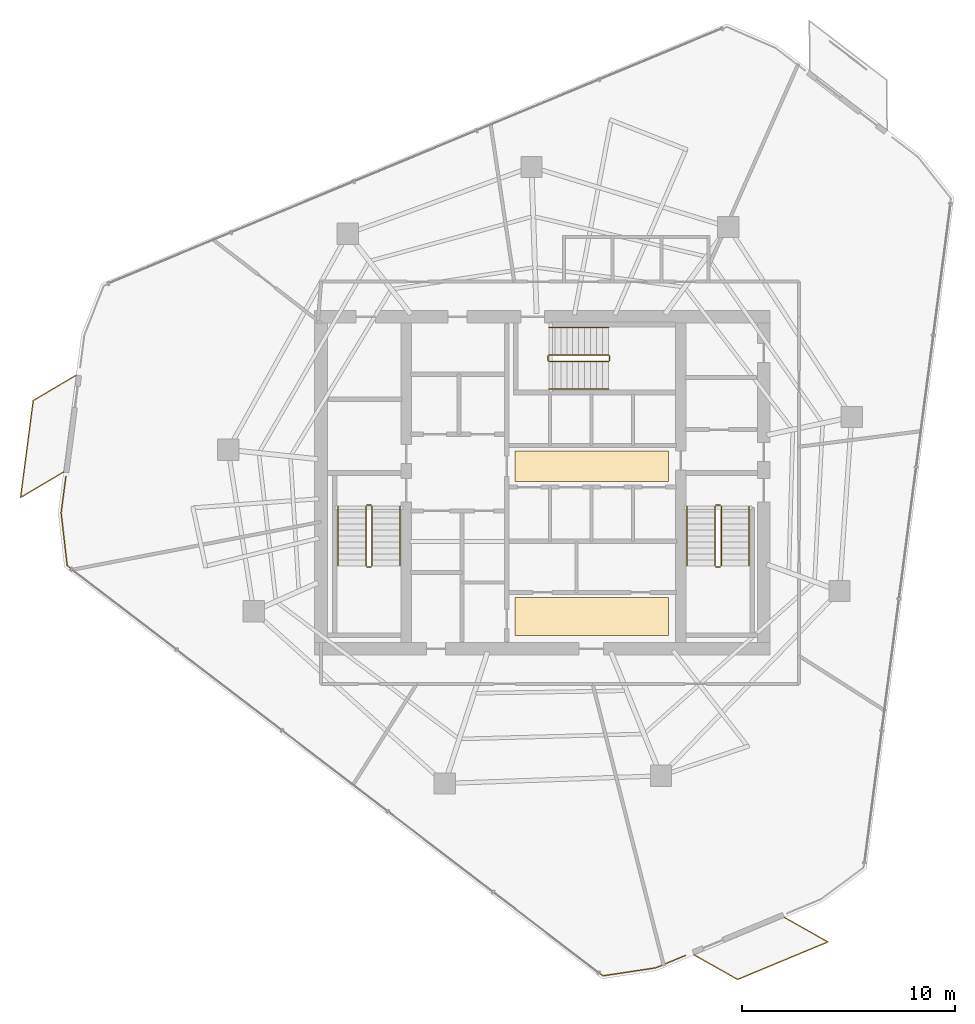
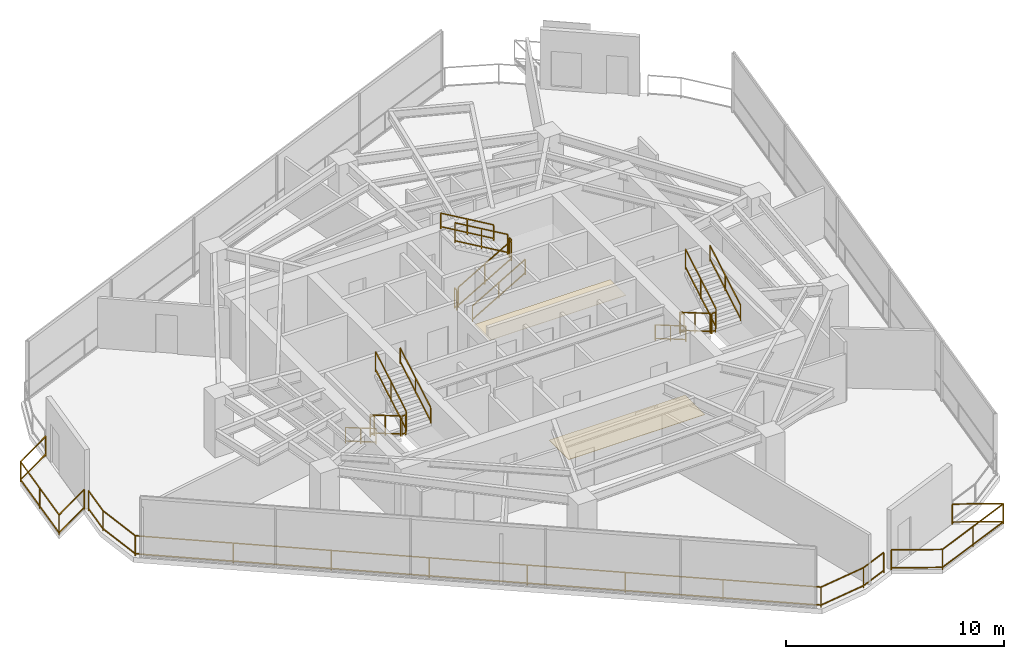
# One storey, part 19 of 20: 21 railings, 2 coverings.
"""IFC4 building model written with IfcOpenShell, lengths in metres."""

import ifcopenshell
import ifcopenshell.guid

model = None  # the IFC model being written
_history = None  # IfcOwnerHistory: only IFC2X3 demands one
_inside = {}  # id of a spatial element -> (the spatial element, [elements in it])
_under = {}  # id of a project, library or spatial element -> (it, [spatial elements below it])
_declared = {}  # id of a project -> (the project, [libraries it declares])
_typed = {}  # id of a type object -> (the type object, [elements of that type])
_made_of = {}  # id of a material, layer set ... -> (it, [elements and type objects made of it])


def new_model(schema):
    """Start an empty IFC model of exactly this schema.

    Asked for "IFC4X3", IfcOpenShell would pick the latest addendum, in which some entities
    have other attributes; the version numbers below select the first issue.
    IFC2X3 requires an IfcOwnerHistory on every rooted entity: one is made here for all.
    """
    global model, _history
    if schema == "IFC4X3":
        model = ifcopenshell.file(schema_version=(4, 3, 0, 0))
    else:
        model = ifcopenshell.file(schema=schema)
    _inside.clear()
    _under.clear()
    _declared.clear()
    _typed.clear()
    _made_of.clear()
    _history = None
    if model.schema == "IFC2X3":
        org = make("IfcOrganization", Name="unknown")
        user = make(
            "IfcPersonAndOrganization",
            ThePerson=make("IfcPerson", FamilyName="unknown"),
            TheOrganization=org,
        )
        app = make(
            "IfcApplication",
            ApplicationDeveloper=org,
            Version="unknown",
            ApplicationFullName="unknown",
            ApplicationIdentifier="unknown",
        )
        _history = make(
            "IfcOwnerHistory",
            OwningUser=user,
            OwningApplication=app,
            ChangeAction="ADDED",
            CreationDate=0,
        )
    return model


def make(cls, **values):
    """One entity of the class cls with the attributes given. An attribute that is None is left unset."""
    return model.create_entity(
        cls, **{name: value for name, value in values.items() if value is not None}
    )


def rooted(cls, **values):
    """An entity with a GlobalId (a new one), such as an element, a storey or a relation."""
    return make(cls, GlobalId=ifcopenshell.guid.new(), OwnerHistory=_history, **values)


def si_unit(unit_type, name, prefix=None):
    """IfcSIUnit, for example si_unit("LENGTHUNIT", "METRE", prefix="MILLI")."""
    return make("IfcSIUnit", UnitType=unit_type, Prefix=prefix, Name=name)


def assignment(units):
    """IfcUnitAssignment: the units of a project."""
    return None if units is None else make("IfcUnitAssignment", Units=units)


def point(xyz):
    """IfcCartesianPoint."""
    return None if xyz is None else make("IfcCartesianPoint", Coordinates=xyz)


def direction(xyz):
    """IfcDirection."""
    return None if xyz is None else make("IfcDirection", DirectionRatios=xyz)


def frame(location, z_axis=None, x_axis=None):
    """IfcAxis2Placement3D, a coordinate frame: its origin and axes. An axis left out is left unset."""
    return make(
        "IfcAxis2Placement3D",
        Location=point(location),
        Axis=direction(z_axis),
        RefDirection=direction(x_axis),
    )


def frame_2d(location, x_axis=None):
    """IfcAxis2Placement2D, a coordinate frame in the plane: its origin and x axis."""
    return make(
        "IfcAxis2Placement2D", Location=point(location), RefDirection=direction(x_axis)
    )


def origin():
    """The frame at (0, 0, 0) with its axes left unset."""
    return frame((0.0, 0.0, 0.0))


def origin_2d():
    """The frame at (0, 0) in the plane with its x axis left unset."""
    return frame_2d((0.0, 0.0))


def place(relative_to, where):
    """IfcLocalPlacement: puts the frame where relative to a parent placement (None: the world)."""
    return make(
        "IfcLocalPlacement", PlacementRelTo=relative_to, RelativePlacement=where
    )


def context(
    kind, dimensions, precision=None, world=None, true_north=None, identifier=None
):
    """IfcGeometricRepresentationContext, for example the 3D "Model" context."""
    return make(
        "IfcGeometricRepresentationContext",
        ContextIdentifier=identifier,
        ContextType=kind,
        CoordinateSpaceDimension=dimensions,
        Precision=precision,
        WorldCoordinateSystem=world,
        TrueNorth=true_north,
    )


def subcontext(parent, identifier, kind, view, scale=None):
    """IfcGeometricRepresentationSubContext, for example "Body" below "Model"."""
    return make(
        "IfcGeometricRepresentationSubContext",
        ContextIdentifier=identifier,
        ContextType=kind,
        ParentContext=parent,
        TargetScale=scale,
        TargetView=view,
    )


def project(units=None, contexts=None):
    """IfcProject with its units and contexts."""
    return rooted(
        "IfcProject",
        Name="project",
        RepresentationContexts=contexts,
        UnitsInContext=assignment(units),
    )


def spatial(cls, under=None, at=None, **own):
    """A site, building, storey or space (cls), placed at a placement, below another one or the project."""
    s = rooted(cls, ObjectPlacement=at, **own)
    if under is not None:
        _under.setdefault(under.id(), (under, []))[1].append(s)
    return s


def profile(cls, at=None, kind="AREA", **sizes):
    """A parametric profile (cls). Its sizes go by their IFC names, for example OverallWidth=200.0."""
    return make(cls, ProfileType=kind, Position=at, **sizes)


def rectangle(**sizes):
    """IfcRectangleProfileDef."""
    return profile("IfcRectangleProfileDef", **sizes)


def extrude(swept, where, along, depth):
    """IfcExtrudedAreaSolid: the profile swept, set in the frame where, extruded along a direction by depth."""
    return make(
        "IfcExtrudedAreaSolid",
        SweptArea=swept,
        Position=where,
        ExtrudedDirection=direction(along),
        Depth=depth,
    )


def shape(context_of_items, identifier, shape_type, items):
    """IfcShapeRepresentation: the items that make up one representation, for example the "Body"."""
    return make(
        "IfcShapeRepresentation",
        ContextOfItems=context_of_items,
        RepresentationIdentifier=identifier,
        RepresentationType=shape_type,
        Items=items,
    )


def material(Name=None, Category=None):
    """IfcMaterial."""
    return make("IfcMaterial", Name=Name, Category=Category)


def layer(
    of_material, thickness, ventilated=None, Name=None, Category=None, Priority=None
):
    """IfcMaterialLayer: one layer of a wall or slab, of a material (None: an air gap)."""
    return make(
        "IfcMaterialLayer",
        Material=of_material,
        LayerThickness=thickness,
        IsVentilated=ventilated,
        Name=Name,
        Category=Category,
        Priority=Priority,
    )


def layer_set(layers, Name=None):
    """IfcMaterialLayerSet."""
    return make("IfcMaterialLayerSet", MaterialLayers=layers, LayerSetName=Name)


def made_of(thing, what):
    """Note that an element or type object is made of a material, layer set ...; save() writes the relation."""
    if what is not None:
        _made_of.setdefault(what.id(), (what, []))[1].append(thing)
    return thing


def type_object(cls, material=None, **own):
    """A type object (cls), such as IfcWallType, which elements share."""
    return made_of(rooted(cls, **own), material)


def element(
    cls,
    number,
    at=None,
    inside=None,
    cuts=None,
    type_object=None,
    material=None,
    context=None,
    identifier="Body",
    shape_type=None,
    held_by="IfcProductDefinitionShape",
    body=None,
    shapes=None,
    **own,
):
    """One element of the class cls, such as IfcWall. Its Tag is "e" and its number.

    at: its placement. inside: the storey or other place that contains it. cuts: it is an
    opening in that element (IfcRelVoidsElement). A single representation is given by context,
    identifier, shape_type and body (its items); several are given by shapes. held_by: the class
    of the entity that holds the representations. save() writes the other relations.
    """
    e = rooted(cls, Tag="e%d" % number, ObjectPlacement=at, **own)
    if body is not None:
        shapes = [shape(context, identifier, shape_type, body)]
    if shapes is not None:
        e.Representation = make(held_by, Representations=shapes)
    if inside is not None:
        _inside.setdefault(inside.id(), (inside, []))[1].append(e)
    if cuts is not None:
        rooted(
            "IfcRelVoidsElement", RelatingBuildingElement=cuts, RelatedOpeningElement=e
        )
    if type_object is not None:
        _typed.setdefault(type_object.id(), (type_object, []))[1].append(e)
    return made_of(e, material)


def aggregate(whole, parts):
    """IfcRelAggregates: a whole, such as a stair, and the parts it consists of."""
    return rooted("IfcRelAggregates", RelatingObject=whole, RelatedObjects=parts)


def save(model, path):
    """Write the relations noted so far, then the file.

    IfcRelAggregates (storeys below a building ...), IfcRelContainedInSpatialStructure (elements
    in a storey), IfcRelDefinesByType, IfcRelAssociatesMaterial and IfcRelDeclares: one each for
    every whole, place, type object, material and project.
    """
    for whole, parts in _under.values():
        aggregate(whole, parts)
    for where, things in _inside.values():
        rooted(
            "IfcRelContainedInSpatialStructure",
            RelatedElements=things,
            RelatingStructure=where,
        )
    for kind, things in _typed.values():
        rooted("IfcRelDefinesByType", RelatedObjects=things, RelatingType=kind)
    for what, things in _made_of.values():
        rooted("IfcRelAssociatesMaterial", RelatedObjects=things, RelatingMaterial=what)
    for by, libraries in _declared.values():
        rooted("IfcRelDeclares", RelatingContext=by, RelatedDefinitions=libraries)
    model.write(path)


model = new_model("IFC4")

# Units and contexts
model_context = context("Model", 3, precision=1e-05, world=origin(), true_north=direction((0.0, 1.0)))
body_context = subcontext(model_context, "Body", "Model", "MODEL_VIEW")
ifc_project = project(units=[si_unit("LENGTHUNIT", "METRE"), si_unit("AREAUNIT", "SQUARE_METRE"), si_unit("VOLUMEUNIT", "CUBIC_METRE"), si_unit("PLANEANGLEUNIT", "RADIAN"), si_unit("MASSUNIT", "GRAM", prefix="KILO")], contexts=[model_context])

# Site, building, storey
site_placement = place(None, origin())
site = spatial("IfcSite", under=ifc_project, at=site_placement, CompositionType="ELEMENT")
building_placement = place(site_placement, origin())
building = spatial("IfcBuilding", under=site, at=building_placement, Name="Qarnah Convention Tower", CompositionType="ELEMENT")
storey_placement = place(building_placement, frame((0.0, 0.0, 150.89990234375)))
storey = spatial("IfcBuildingStorey", under=building, at=storey_placement, Name="L40", CompositionType="ELEMENT", Elevation=150.89990234375)

# Coverings
ifc_material_1 = material(Name="Mineral fibre acoustic ceiling")
ifc_layer_1 = layer(ifc_material_1, 0.02001953125)
ifc_layer_set_1 = layer_set([ifc_layer_1], Name="Mineral fibre acoustic ceiling")
covering_type_1 = type_object("IfcCoveringType", Name="COV-CEIL-20", PredefinedType="CEILING", material=ifc_layer_set_1)
covering_1_placement = place(storey_placement, frame((39.52001953125, 27.179931640625, 2.2900390625), z_axis=(0.0, 0.0, 1.0), x_axis=(1.0, 0.0, 0.0)))
element("IfcCovering", 1, at=covering_1_placement, inside=storey, type_object=covering_type_1, Name="L40 lift lobby acoustic ceiling", PredefinedType="CEILING", context=body_context, shape_type="SweptSolid", body=[
    extrude(rectangle(XDim=7.199951171875, YDim=1.449951171875, at=origin_2d()), origin(), (0.0, 0.0, 1.0), 0.02001953125),
])
ifc_material_2 = material(Name="Porcelain stone floor tile", Category="masonry")
ifc_layer_2 = layer(ifc_material_2, 0.02001953125)
ifc_layer_set_2 = layer_set([ifc_layer_2], Name="Porcelain stone floor tile")
covering_type_2 = type_object("IfcCoveringType", Name="COV-FLOOR-20", PredefinedType="FLOORING", material=ifc_layer_set_2)
covering_2_placement = place(storey_placement, frame((39.52001953125, 20.1201171875, 0.0), z_axis=(0.0, 0.0, 1.0), x_axis=(1.0, 0.0, 0.0)))
element("IfcCovering", 2, at=covering_2_placement, inside=storey, type_object=covering_type_2, Name="L40 lift lobby porcelain stone flooring", PredefinedType="FLOORING", context=body_context, shape_type="SweptSolid", body=[
    extrude(rectangle(XDim=7.199951171875, YDim=1.800048828125, at=origin_2d()), origin(), (0.0, 0.0, 1.0), 0.02001953125),
])

# Railings
ifc_material_3 = material(Name="Black anodised aluminium", Category="aluminium")
railing_type_1 = type_object("IfcRailingType", Name="RL-EXT-GUARD-1150", PredefinedType="GUARDRAIL", material=ifc_material_3)
railing_1_placement = place(storey_placement, frame((43.916015625, 4.194091796875, 0.0)))
element("IfcRailing", 3, at=railing_1_placement, inside=storey, type_object=railing_type_1, Name="L40 slab-edge perimeter safety guard 03", PredefinedType="GUARDRAIL", context=body_context, shape_type="SweptSolid", body=[
    extrude(rectangle(XDim=0.048095703125, YDim=0.048095703125, at=origin_2d()), frame((0.0, 0.0, 1.1259765625), z_axis=(-0.923507181833, -0.383581132361, 0.0), x_axis=(0.383581132361, -0.923507181833, 0.0)), (0.0, 0.0, 1.0), 1.525634765625),
    extrude(rectangle(XDim=0.048095703125, YDim=0.048095703125, at=origin_2d()), frame((0.0, 0.0, 0.1201171875), z_axis=(-0.923507181833, -0.383581132361, 0.0), x_axis=(0.383581132361, -0.923507181833, 0.0)), (0.0, 0.0, 1.0), 1.525634765625),
    extrude(rectangle(XDim=0.048095703125, YDim=0.048095703125, at=origin_2d()), frame((-1.408935546875, -0.585205078125, 1.1259765625), z_axis=(-0.988846271021, -0.148939760603, 0.0), x_axis=(0.148939760603, -0.988846271021, 0.0)), (0.0, 0.0, 1.0), 2.489990234375),
    extrude(rectangle(XDim=0.048095703125, YDim=0.048095703125, at=origin_2d()), frame((-1.408935546875, -0.585205078125, 0.1201171875), z_axis=(-0.988846271021, -0.148939760603, 0.0), x_axis=(0.148939760603, -0.988846271021, 0.0)), (0.0, 0.0, 1.0), 2.489990234375),
    extrude(rectangle(XDim=0.048095703125, YDim=0.048095703125, at=origin_2d()), frame((-3.87109375, -0.9560546875, 1.1259765625), z_axis=(-0.793983951179, 0.60793871835, 0.0), x_axis=(-0.60793871835, -0.793983951179, 0.0)), (0.0, 0.0, 1.0), 31.70703125),
    extrude(rectangle(XDim=0.048095703125, YDim=0.048095703125, at=origin_2d()), frame((-3.87109375, -0.9560546875, 0.1201171875), z_axis=(-0.793983951179, 0.60793871835, 0.0), x_axis=(-0.60793871835, -0.793983951179, 0.0)), (0.0, 0.0, 1.0), 31.70703125),
    extrude(rectangle(XDim=0.048095703125, YDim=0.048095703125, at=origin_2d()), frame((-29.0458984375, 18.31982421875, 1.1259765625), z_axis=(-0.114110599269, 0.993468052398, 0.0), x_axis=(-0.993468052398, -0.114110599269, 0.0)), (0.0, 0.0, 1.0), 2.490478515625),
    extrude(rectangle(XDim=0.048095703125, YDim=0.048095703125, at=origin_2d()), frame((-29.0458984375, 18.31982421875, 0.1201171875), z_axis=(-0.114110599269, 0.993468052398, 0.0), x_axis=(-0.993468052398, -0.114110599269, 0.0)), (0.0, 0.0, 1.0), 2.490478515625),
    extrude(rectangle(XDim=0.048095703125, YDim=0.048095703125, at=origin_2d()), frame((-29.330078125, 20.7939453125, 1.1259765625), z_axis=(0.129693978118, 0.991554069146, 0.0), x_axis=(-0.991554069146, 0.129693978118, 0.0)), (0.0, 0.0, 1.0), 1.735595703125),
    extrude(rectangle(XDim=0.048095703125, YDim=0.048095703125, at=origin_2d()), frame((-29.330078125, 20.7939453125, 0.1201171875), z_axis=(0.129693978118, 0.991554069146, 0.0), x_axis=(-0.991554069146, 0.129693978118, 0.0)), (0.0, 0.0, 1.0), 1.735595703125),
    extrude(rectangle(XDim=0.0419921875, YDim=0.0419921875, at=origin_2d()), origin(), (0.0, 0.0, 1.0), 1.101806640625),
    extrude(rectangle(XDim=0.0419921875, YDim=0.0419921875, at=origin_2d()), frame((-1.408935546875, -0.585205078125, 0.0)), (0.0, 0.0, 1.0), 1.101806640625),
    extrude(rectangle(XDim=0.0419921875, YDim=0.0419921875, at=origin_2d()), frame((-3.87109375, -0.9560546875, 0.0)), (0.0, 0.0, 1.0), 1.101806640625),
    extrude(rectangle(XDim=0.0419921875, YDim=0.0419921875, at=origin_2d()), frame((-7.467529296875, 1.797607421875, 0.0)), (0.0, 0.0, 1.0), 1.101806640625),
    extrude(rectangle(XDim=0.0419921875, YDim=0.0419921875, at=origin_2d()), frame((-11.06396484375, 4.55126953125, 0.0)), (0.0, 0.0, 1.0), 1.101806640625),
    extrude(rectangle(XDim=0.0419921875, YDim=0.0419921875, at=origin_2d()), frame((-14.660400390625, 7.304931640625, 0.0)), (0.0, 0.0, 1.0), 1.101806640625),
    extrude(rectangle(XDim=0.0419921875, YDim=0.0419921875, at=origin_2d()), frame((-18.256591796875, 10.058837890625, 0.0)), (0.0, 0.0, 1.0), 1.101806640625),
    extrude(rectangle(XDim=0.0419921875, YDim=0.0419921875, at=origin_2d()), frame((-21.85302734375, 12.8125, 0.0)), (0.0, 0.0, 1.0), 1.101806640625),
    extrude(rectangle(XDim=0.0419921875, YDim=0.0419921875, at=origin_2d()), frame((-25.449462890625, 15.566162109375, 0.0)), (0.0, 0.0, 1.0), 1.101806640625),
    extrude(rectangle(XDim=0.0419921875, YDim=0.0419921875, at=origin_2d()), frame((-29.0458984375, 18.31982421875, 0.0)), (0.0, 0.0, 1.0), 1.101806640625),
    extrude(rectangle(XDim=0.0419921875, YDim=0.0419921875, at=origin_2d()), frame((-29.330078125, 20.7939453125, 0.0)), (0.0, 0.0, 1.0), 1.101806640625),
    extrude(rectangle(XDim=0.0419921875, YDim=0.0419921875, at=origin_2d()), frame((-29.10498046875, 22.514892578125, 0.0)), (0.0, 0.0, 1.0), 1.101806640625),
])
railing_2_placement = place(storey_placement, frame((14.698974609375, 26.89892578125, 0.0)))
element("IfcRailing", 4, at=railing_2_placement, inside=storey, type_object=railing_type_1, Name="L40 balcony safety guard BAL-L40-C2", PredefinedType="GUARDRAIL", context=body_context, shape_type="SweptSolid", body=[
    extrude(rectangle(XDim=0.048095703125, YDim=0.048095703125, at=origin_2d()), frame((0.0, 0.0, 1.1259765625), z_axis=(-0.861104487495, -0.508428029927, 0.0), x_axis=(0.508428029927, -0.861104487495, 0.0)), (0.0, 0.0, 1.0), 2.34814453125),
    extrude(rectangle(XDim=0.048095703125, YDim=0.048095703125, at=origin_2d()), frame((0.0, 0.0, 0.1201171875), z_axis=(-0.861104487495, -0.508428029927, 0.0), x_axis=(0.508428029927, -0.861104487495, 0.0)), (0.0, 0.0, 1.0), 2.34814453125),
    extrude(rectangle(XDim=0.048095703125, YDim=0.048095703125, at=origin_2d()), frame((-2.02197265625, -1.19384765625, 1.1259765625), z_axis=(0.129559279867, 0.991571678196, 0.0), x_axis=(-0.991571678196, 0.129559279867, 0.0)), (0.0, 0.0, 1.0), 4.599853515625),
    extrude(rectangle(XDim=0.048095703125, YDim=0.048095703125, at=origin_2d()), frame((-2.02197265625, -1.19384765625, 0.1201171875), z_axis=(0.129559279867, 0.991571678196, 0.0), x_axis=(-0.991571678196, 0.129559279867, 0.0)), (0.0, 0.0, 1.0), 4.599853515625),
    extrude(rectangle(XDim=0.048095703125, YDim=0.048095703125, at=origin_2d()), frame((-1.426025390625, 3.3671875, 1.1259765625), z_axis=(0.861104487495, 0.508428029927, 0.0), x_axis=(-0.508428029927, 0.861104487495, 0.0)), (0.0, 0.0, 1.0), 2.34814453125),
    extrude(rectangle(XDim=0.048095703125, YDim=0.048095703125, at=origin_2d()), frame((-1.426025390625, 3.3671875, 0.1201171875), z_axis=(0.861104487495, 0.508428029927, 0.0), x_axis=(-0.508428029927, 0.861104487495, 0.0)), (0.0, 0.0, 1.0), 2.34814453125),
    extrude(rectangle(XDim=0.0419921875, YDim=0.0419921875, at=origin_2d()), origin(), (0.0, 0.0, 1.0), 1.101806640625),
    extrude(rectangle(XDim=0.0419921875, YDim=0.0419921875, at=origin_2d()), frame((-2.02197265625, -1.19384765625, 0.0)), (0.0, 0.0, 1.0), 1.101806640625),
    extrude(rectangle(XDim=0.0419921875, YDim=0.0419921875, at=origin_2d()), frame((-1.72412109375, 1.086669921875, 0.0)), (0.0, 0.0, 1.0), 1.101806640625),
    extrude(rectangle(XDim=0.0419921875, YDim=0.0419921875, at=origin_2d()), frame((-1.426025390625, 3.3671875, 0.0)), (0.0, 0.0, 1.0), 1.101806640625),
    extrude(rectangle(XDim=0.0419921875, YDim=0.0419921875, at=origin_2d()), frame((0.595947265625, 4.56103515625, 0.0)), (0.0, 0.0, 1.0), 1.101806640625),
])
railing_3_placement = place(storey_placement, frame((48.571044921875, 5.98193359375, 0.0)))
element("IfcRailing", 5, at=railing_3_placement, inside=storey, type_object=railing_type_1, Name="L40 balcony safety guard BAL-L40-C3", PredefinedType="GUARDRAIL", context=body_context, shape_type="SweptSolid", body=[
    extrude(rectangle(XDim=0.048095703125, YDim=0.048095703125, at=origin_2d()), frame((0.0, 0.0, 1.1259765625), z_axis=(0.870785525164, -0.491663064674, 0.0), x_axis=(0.491663064674, 0.870785525164, 0.0)), (0.0, 0.0, 1.0), 2.34716796875),
    extrude(rectangle(XDim=0.048095703125, YDim=0.048095703125, at=origin_2d()), frame((0.0, 0.0, 0.1201171875), z_axis=(0.870785525164, -0.491663064674, 0.0), x_axis=(0.491663064674, 0.870785525164, 0.0)), (0.0, 0.0, 1.0), 2.34716796875),
    extrude(rectangle(XDim=0.048095703125, YDim=0.048095703125, at=origin_2d()), frame((2.0439453125, -1.154052734375, 1.1259765625), z_axis=(-0.923472127584, -0.383665517834, 0.0), x_axis=(0.383665517834, -0.923472127584, 0.0)), (0.0, 0.0, 1.0), 4.60009765625),
    extrude(rectangle(XDim=0.048095703125, YDim=0.048095703125, at=origin_2d()), frame((2.0439453125, -1.154052734375, 0.1201171875), z_axis=(-0.923472127584, -0.383665517834, 0.0), x_axis=(0.383665517834, -0.923472127584, 0.0)), (0.0, 0.0, 1.0), 4.60009765625),
    extrude(rectangle(XDim=0.048095703125, YDim=0.048095703125, at=origin_2d()), frame((-2.2041015625, -2.9189453125, 1.1259765625), z_axis=(-0.870785525164, 0.491663064674, 0.0), x_axis=(-0.491663064674, -0.870785525164, 0.0)), (0.0, 0.0, 1.0), 2.34716796875),
    extrude(rectangle(XDim=0.048095703125, YDim=0.048095703125, at=origin_2d()), frame((-2.2041015625, -2.9189453125, 0.1201171875), z_axis=(-0.870785525164, 0.491663064674, 0.0), x_axis=(-0.491663064674, -0.870785525164, 0.0)), (0.0, 0.0, 1.0), 2.34716796875),
    extrude(rectangle(XDim=0.0419921875, YDim=0.0419921875, at=origin_2d()), origin(), (0.0, 0.0, 1.0), 1.101806640625),
    extrude(rectangle(XDim=0.0419921875, YDim=0.0419921875, at=origin_2d()), frame((2.0439453125, -1.154052734375, 0.0)), (0.0, 0.0, 1.0), 1.101806640625),
    extrude(rectangle(XDim=0.0419921875, YDim=0.0419921875, at=origin_2d()), frame((-0.080078125, -2.03662109375, 0.0)), (0.0, 0.0, 1.0), 1.101806640625),
    extrude(rectangle(XDim=0.0419921875, YDim=0.0419921875, at=origin_2d()), frame((-2.2041015625, -2.9189453125, 0.0)), (0.0, 0.0, 1.0), 1.101806640625),
    extrude(rectangle(XDim=0.0419921875, YDim=0.0419921875, at=origin_2d()), frame((-4.248046875, -1.764892578125, 0.0)), (0.0, 0.0, 1.0), 1.101806640625),
])
ifc_material_4 = material(Name="Structural steel S355JR", Category="steel")
railing_type_2 = type_object("IfcRailingType", Name="RL-STAIR-GUARD-1150", PredefinedType="GUARDRAIL", material=ifc_material_4)
railing_4_placement = place(storey_placement, frame((28.89990234375, 25.300048828125, 0.163818359375)))
element("IfcRailing", 6, at=railing_4_placement, inside=storey, type_object=railing_type_2, Name="L40 ST-1 stair guard 1", PredefinedType="GUARDRAIL", context=body_context, shape_type="SweptSolid", body=[
    extrude(rectangle(XDim=0.048095703125, YDim=0.048095703125, at=origin_2d()), frame((0.0, 0.0, 1.1259765625), z_axis=(0.0, -0.863393664356, 0.504530851732), x_axis=(1.0, 0.0, 0.0)), (0.0, 0.0, 1.0), 3.2431640625),
    extrude(rectangle(XDim=0.048095703125, YDim=0.048095703125, at=origin_2d()), frame((0.0, 0.0, 0.1201171875), z_axis=(0.0, -0.863393664356, 0.504530851732), x_axis=(1.0, 0.0, 0.0)), (0.0, 0.0, 1.0), 3.2431640625),
    extrude(rectangle(XDim=0.0419921875, YDim=0.0419921875, at=origin_2d()), origin(), (0.0, 0.0, 1.0), 1.101806640625),
    extrude(rectangle(XDim=0.0419921875, YDim=0.0419921875, at=origin_2d()), frame((0.0, -1.39990234375, 0.818115234375)), (0.0, 0.0, 1.0), 1.101806640625),
    extrude(rectangle(XDim=0.0419921875, YDim=0.0419921875, at=origin_2d()), frame((0.0, -2.800048828125, 1.63623046875)), (0.0, 0.0, 1.0), 1.101806640625),
])
railing_5_placement = place(storey_placement, frame((28.949951171875, 22.449951171875, 1.800048828125)))
element("IfcRailing", 7, at=railing_5_placement, inside=storey, type_object=railing_type_2, Name="L40 ST-1 stair guard 2", PredefinedType="GUARDRAIL", context=body_context, shape_type="SweptSolid", body=[
    extrude(rectangle(XDim=0.048095703125, YDim=0.048095703125, at=origin_2d()), frame((0.0, 0.0, 1.1259765625), z_axis=(1.0, 0.0, 0.0), x_axis=(0.0, 1.0, 0.0)), (0.0, 0.0, 1.0), 0.199951171875),
    extrude(rectangle(XDim=0.048095703125, YDim=0.048095703125, at=origin_2d()), frame((0.0, 0.0, 0.1201171875), z_axis=(1.0, 0.0, 0.0), x_axis=(0.0, 1.0, 0.0)), (0.0, 0.0, 1.0), 0.199951171875),
    extrude(rectangle(XDim=0.0419921875, YDim=0.0419921875, at=origin_2d()), origin(), (0.0, 0.0, 1.0), 1.101806640625),
    extrude(rectangle(XDim=0.0419921875, YDim=0.0419921875, at=origin_2d()), frame((0.199951171875, 0.0, 0.0)), (0.0, 0.0, 1.0), 1.101806640625),
])
railing_6_placement = place(storey_placement, frame((29.199951171875, 22.5, 1.963623046875)))
element("IfcRailing", 8, at=railing_6_placement, inside=storey, type_object=railing_type_2, Name="L40 ST-1 stair guard 3", PredefinedType="GUARDRAIL", context=body_context, shape_type="SweptSolid", body=[
    extrude(rectangle(XDim=0.048095703125, YDim=0.048095703125, at=origin_2d()), frame((0.0, 0.0, 1.1259765625), z_axis=(0.0, 0.863360870873, 0.504586966384), x_axis=(-1.0, 0.0, 0.0)), (0.0, 0.0, 1.0), 3.2431640625),
    extrude(rectangle(XDim=0.048095703125, YDim=0.048095703125, at=origin_2d()), frame((0.0, 0.0, 0.1201171875), z_axis=(0.0, 0.863360870873, 0.504586966384), x_axis=(-1.0, 0.0, 0.0)), (0.0, 0.0, 1.0), 3.2431640625),
    extrude(rectangle(XDim=0.0419921875, YDim=0.0419921875, at=origin_2d()), origin(), (0.0, 0.0, 1.0), 1.101806640625),
    extrude(rectangle(XDim=0.0419921875, YDim=0.0419921875, at=origin_2d()), frame((0.0, 1.39990234375, 0.818359375)), (0.0, 0.0, 1.0), 1.101806640625),
    extrude(rectangle(XDim=0.0419921875, YDim=0.0419921875, at=origin_2d()), frame((0.0, 2.800048828125, 1.636474609375)), (0.0, 0.0, 1.0), 1.101806640625),
])
railing_7_placement = place(storey_placement, frame((28.949951171875, 25.35009765625, 0.0)))
element("IfcRailing", 9, at=railing_7_placement, inside=storey, type_object=railing_type_2, Name="L40 ST-1 stair guard 4", PredefinedType="GUARDRAIL", context=body_context, shape_type="SweptSolid", body=[
    extrude(rectangle(XDim=0.048095703125, YDim=0.048095703125, at=origin_2d()), frame((0.0, 0.0, 1.1259765625), z_axis=(1.0, 0.0, 0.0), x_axis=(0.0, 1.0, 0.0)), (0.0, 0.0, 1.0), 0.199951171875),
    extrude(rectangle(XDim=0.048095703125, YDim=0.048095703125, at=origin_2d()), frame((0.0, 0.0, 0.1201171875), z_axis=(1.0, 0.0, 0.0), x_axis=(0.0, 1.0, 0.0)), (0.0, 0.0, 1.0), 0.199951171875),
    extrude(rectangle(XDim=0.0419921875, YDim=0.0419921875, at=origin_2d()), origin(), (0.0, 0.0, 1.0), 1.101806640625),
    extrude(rectangle(XDim=0.0419921875, YDim=0.0419921875, at=origin_2d()), frame((0.199951171875, 0.0, 0.0)), (0.0, 0.0, 1.0), 1.101806640625),
])
railing_8_placement = place(storey_placement, frame((45.300048828125, 25.300048828125, 0.163818359375)))
element("IfcRailing", 10, at=railing_8_placement, inside=storey, type_object=railing_type_2, Name="L40 ST-2 stair guard 1", PredefinedType="GUARDRAIL", context=body_context, shape_type="SweptSolid", body=[
    extrude(rectangle(XDim=0.048095703125, YDim=0.048095703125, at=origin_2d()), frame((0.0, 0.0, 1.1259765625), z_axis=(0.0, -0.863393664356, 0.504530851732), x_axis=(1.0, 0.0, 0.0)), (0.0, 0.0, 1.0), 3.2431640625),
    extrude(rectangle(XDim=0.048095703125, YDim=0.048095703125, at=origin_2d()), frame((0.0, 0.0, 0.1201171875), z_axis=(0.0, -0.863393664356, 0.504530851732), x_axis=(1.0, 0.0, 0.0)), (0.0, 0.0, 1.0), 3.2431640625),
    extrude(rectangle(XDim=0.0419921875, YDim=0.0419921875, at=origin_2d()), origin(), (0.0, 0.0, 1.0), 1.101806640625),
    extrude(rectangle(XDim=0.0419921875, YDim=0.0419921875, at=origin_2d()), frame((0.0, -1.39990234375, 0.818115234375)), (0.0, 0.0, 1.0), 1.101806640625),
    extrude(rectangle(XDim=0.0419921875, YDim=0.0419921875, at=origin_2d()), frame((0.0, -2.800048828125, 1.63623046875)), (0.0, 0.0, 1.0), 1.101806640625),
])
railing_9_placement = place(storey_placement, frame((45.35009765625, 22.449951171875, 1.800048828125)))
element("IfcRailing", 11, at=railing_9_placement, inside=storey, type_object=railing_type_2, Name="L40 ST-2 stair guard 2", PredefinedType="GUARDRAIL", context=body_context, shape_type="SweptSolid", body=[
    extrude(rectangle(XDim=0.048095703125, YDim=0.048095703125, at=origin_2d()), frame((0.0, 0.0, 1.1259765625), z_axis=(1.0, 0.0, 0.0), x_axis=(0.0, 1.0, 0.0)), (0.0, 0.0, 1.0), 0.199951171875),
    extrude(rectangle(XDim=0.048095703125, YDim=0.048095703125, at=origin_2d()), frame((0.0, 0.0, 0.1201171875), z_axis=(1.0, 0.0, 0.0), x_axis=(0.0, 1.0, 0.0)), (0.0, 0.0, 1.0), 0.199951171875),
    extrude(rectangle(XDim=0.0419921875, YDim=0.0419921875, at=origin_2d()), origin(), (0.0, 0.0, 1.0), 1.101806640625),
    extrude(rectangle(XDim=0.0419921875, YDim=0.0419921875, at=origin_2d()), frame((0.199951171875, 0.0, 0.0)), (0.0, 0.0, 1.0), 1.101806640625),
])
railing_10_placement = place(storey_placement, frame((45.60009765625, 22.5, 1.963623046875)))
element("IfcRailing", 12, at=railing_10_placement, inside=storey, type_object=railing_type_2, Name="L40 ST-2 stair guard 3", PredefinedType="GUARDRAIL", context=body_context, shape_type="SweptSolid", body=[
    extrude(rectangle(XDim=0.048095703125, YDim=0.048095703125, at=origin_2d()), frame((0.0, 0.0, 1.1259765625), z_axis=(0.0, 0.863360870873, 0.504586966384), x_axis=(-1.0, 0.0, 0.0)), (0.0, 0.0, 1.0), 3.2431640625),
    extrude(rectangle(XDim=0.048095703125, YDim=0.048095703125, at=origin_2d()), frame((0.0, 0.0, 0.1201171875), z_axis=(0.0, 0.863360870873, 0.504586966384), x_axis=(-1.0, 0.0, 0.0)), (0.0, 0.0, 1.0), 3.2431640625),
    extrude(rectangle(XDim=0.0419921875, YDim=0.0419921875, at=origin_2d()), origin(), (0.0, 0.0, 1.0), 1.101806640625),
    extrude(rectangle(XDim=0.0419921875, YDim=0.0419921875, at=origin_2d()), frame((0.0, 1.39990234375, 0.818359375)), (0.0, 0.0, 1.0), 1.101806640625),
    extrude(rectangle(XDim=0.0419921875, YDim=0.0419921875, at=origin_2d()), frame((0.0, 2.800048828125, 1.636474609375)), (0.0, 0.0, 1.0), 1.101806640625),
])
railing_11_placement = place(storey_placement, frame((45.35009765625, 25.35009765625, 0.0)))
element("IfcRailing", 13, at=railing_11_placement, inside=storey, type_object=railing_type_2, Name="L40 ST-2 stair guard 4", PredefinedType="GUARDRAIL", context=body_context, shape_type="SweptSolid", body=[
    extrude(rectangle(XDim=0.048095703125, YDim=0.048095703125, at=origin_2d()), frame((0.0, 0.0, 1.1259765625), z_axis=(1.0, 0.0, 0.0), x_axis=(0.0, 1.0, 0.0)), (0.0, 0.0, 1.0), 0.199951171875),
    extrude(rectangle(XDim=0.048095703125, YDim=0.048095703125, at=origin_2d()), frame((0.0, 0.0, 0.1201171875), z_axis=(1.0, 0.0, 0.0), x_axis=(0.0, 1.0, 0.0)), (0.0, 0.0, 1.0), 0.199951171875),
    extrude(rectangle(XDim=0.0419921875, YDim=0.0419921875, at=origin_2d()), origin(), (0.0, 0.0, 1.0), 1.101806640625),
    extrude(rectangle(XDim=0.0419921875, YDim=0.0419921875, at=origin_2d()), frame((0.199951171875, 0.0, 0.0)), (0.0, 0.0, 1.0), 1.101806640625),
])
railing_12_placement = place(storey_placement, frame((37.5, 32.10009765625, 0.163818359375)))
element("IfcRailing", 14, at=railing_12_placement, inside=storey, type_object=railing_type_2, Name="L40 ST-3 stair guard 1", PredefinedType="GUARDRAIL", context=body_context, shape_type="SweptSolid", body=[
    extrude(rectangle(XDim=0.048095703125, YDim=0.048095703125, at=origin_2d()), frame((0.0, 0.0, 1.1259765625), z_axis=(0.863393664356, 0.0, 0.504530851732), x_axis=(0.0, 1.0, 0.0)), (0.0, 0.0, 1.0), 3.2431640625),
    extrude(rectangle(XDim=0.048095703125, YDim=0.048095703125, at=origin_2d()), frame((0.0, 0.0, 0.1201171875), z_axis=(0.863393664356, 0.0, 0.504530851732), x_axis=(0.0, 1.0, 0.0)), (0.0, 0.0, 1.0), 3.2431640625),
    extrude(rectangle(XDim=0.0419921875, YDim=0.0419921875, at=origin_2d()), origin(), (0.0, 0.0, 1.0), 1.101806640625),
    extrude(rectangle(XDim=0.0419921875, YDim=0.0419921875, at=origin_2d()), frame((1.39990234375, 0.0, 0.818115234375)), (0.0, 0.0, 1.0), 1.101806640625),
    extrude(rectangle(XDim=0.0419921875, YDim=0.0419921875, at=origin_2d()), frame((2.800048828125, 0.0, 1.63623046875)), (0.0, 0.0, 1.0), 1.101806640625),
])
railing_13_placement = place(storey_placement, frame((40.35009765625, 32.14990234375, 1.800048828125)))
element("IfcRailing", 15, at=railing_13_placement, inside=storey, type_object=railing_type_2, Name="L40 ST-3 stair guard 2", PredefinedType="GUARDRAIL", context=body_context, shape_type="SweptSolid", body=[
    extrude(rectangle(XDim=0.048095703125, YDim=0.048095703125, at=origin_2d()), frame((0.0, 0.0, 1.1259765625), z_axis=(0.0, 1.0, 0.0), x_axis=(-1.0, 0.0, 0.0)), (0.0, 0.0, 1.0), 0.2001953125),
    extrude(rectangle(XDim=0.048095703125, YDim=0.048095703125, at=origin_2d()), frame((0.0, 0.0, 0.1201171875), z_axis=(0.0, 1.0, 0.0), x_axis=(-1.0, 0.0, 0.0)), (0.0, 0.0, 1.0), 0.2001953125),
    extrude(rectangle(XDim=0.0419921875, YDim=0.0419921875, at=origin_2d()), origin(), (0.0, 0.0, 1.0), 1.101806640625),
    extrude(rectangle(XDim=0.0419921875, YDim=0.0419921875, at=origin_2d()), frame((0.0, 0.2001953125, 0.0)), (0.0, 0.0, 1.0), 1.101806640625),
])
railing_14_placement = place(storey_placement, frame((40.300048828125, 32.39990234375, 1.963623046875)))
element("IfcRailing", 16, at=railing_14_placement, inside=storey, type_object=railing_type_2, Name="L40 ST-3 stair guard 3", PredefinedType="GUARDRAIL", context=body_context, shape_type="SweptSolid", body=[
    extrude(rectangle(XDim=0.048095703125, YDim=0.048095703125, at=origin_2d()), frame((0.0, 0.0, 1.1259765625), z_axis=(-0.863360870873, 0.0, 0.504586966384), x_axis=(0.0, -1.0, 0.0)), (0.0, 0.0, 1.0), 3.2431640625),
    extrude(rectangle(XDim=0.048095703125, YDim=0.048095703125, at=origin_2d()), frame((0.0, 0.0, 0.1201171875), z_axis=(-0.863360870873, 0.0, 0.504586966384), x_axis=(0.0, -1.0, 0.0)), (0.0, 0.0, 1.0), 3.2431640625),
    extrude(rectangle(XDim=0.0419921875, YDim=0.0419921875, at=origin_2d()), origin(), (0.0, 0.0, 1.0), 1.101806640625),
    extrude(rectangle(XDim=0.0419921875, YDim=0.0419921875, at=origin_2d()), frame((-1.39990234375, 0.0, 0.818359375)), (0.0, 0.0, 1.0), 1.101806640625),
    extrude(rectangle(XDim=0.0419921875, YDim=0.0419921875, at=origin_2d()), frame((-2.800048828125, 0.0, 1.636474609375)), (0.0, 0.0, 1.0), 1.101806640625),
])
railing_15_placement = place(storey_placement, frame((37.449951171875, 32.14990234375, 0.0)))
element("IfcRailing", 17, at=railing_15_placement, inside=storey, type_object=railing_type_2, Name="L40 ST-3 stair guard 4", PredefinedType="GUARDRAIL", context=body_context, shape_type="SweptSolid", body=[
    extrude(rectangle(XDim=0.048095703125, YDim=0.048095703125, at=origin_2d()), frame((0.0, 0.0, 1.1259765625), z_axis=(0.0, 1.0, 0.0), x_axis=(-1.0, 0.0, 0.0)), (0.0, 0.0, 1.0), 0.2001953125),
    extrude(rectangle(XDim=0.048095703125, YDim=0.048095703125, at=origin_2d()), frame((0.0, 0.0, 0.1201171875), z_axis=(0.0, 1.0, 0.0), x_axis=(-1.0, 0.0, 0.0)), (0.0, 0.0, 1.0), 0.2001953125),
    extrude(rectangle(XDim=0.0419921875, YDim=0.0419921875, at=origin_2d()), origin(), (0.0, 0.0, 1.0), 1.101806640625),
    extrude(rectangle(XDim=0.0419921875, YDim=0.0419921875, at=origin_2d()), frame((0.0, 0.2001953125, 0.0)), (0.0, 0.0, 1.0), 1.101806640625),
])
railing_type_3 = type_object("IfcRailingType", Name="RL-STAIR-HAND-900", PredefinedType="HANDRAIL", material=ifc_material_4)
railing_16_placement = place(storey_placement, frame((27.60009765625, 25.300048828125, 0.163818359375)))
element("IfcRailing", 18, at=railing_16_placement, inside=storey, type_object=railing_type_3, Name="L40 ST-1 stair handrail 1", PredefinedType="HANDRAIL", context=body_context, shape_type="SweptSolid", body=[
    extrude(rectangle(XDim=0.048095703125, YDim=0.048095703125, at=origin_2d()), frame((0.0, 0.0, 0.8759765625), z_axis=(0.0, -0.863393664356, 0.504530851732), x_axis=(1.0, 0.0, 0.0)), (0.0, 0.0, 1.0), 3.2431640625),
    extrude(rectangle(XDim=0.048095703125, YDim=0.048095703125, at=origin_2d()), frame((0.0, 0.0, 0.1201171875), z_axis=(0.0, -0.863393664356, 0.504530851732), x_axis=(1.0, 0.0, 0.0)), (0.0, 0.0, 1.0), 3.2431640625),
    extrude(rectangle(XDim=0.0419921875, YDim=0.0419921875, at=origin_2d()), origin(), (0.0, 0.0, 1.0), 0.851806640625),
    extrude(rectangle(XDim=0.0419921875, YDim=0.0419921875, at=origin_2d()), frame((0.0, -1.39990234375, 0.818115234375)), (0.0, 0.0, 1.0), 0.851806640625),
    extrude(rectangle(XDim=0.0419921875, YDim=0.0419921875, at=origin_2d()), frame((0.0, -2.800048828125, 1.63623046875)), (0.0, 0.0, 1.0), 0.851806640625),
])
railing_17_placement = place(storey_placement, frame((30.5, 22.5, 1.963623046875)))
element("IfcRailing", 19, at=railing_17_placement, inside=storey, type_object=railing_type_3, Name="L40 ST-1 stair handrail 2", PredefinedType="HANDRAIL", context=body_context, shape_type="SweptSolid", body=[
    extrude(rectangle(XDim=0.048095703125, YDim=0.048095703125, at=origin_2d()), frame((0.0, 0.0, 0.8759765625), z_axis=(0.0, 0.863360870873, 0.504586966384), x_axis=(-1.0, 0.0, 0.0)), (0.0, 0.0, 1.0), 3.2431640625),
    extrude(rectangle(XDim=0.048095703125, YDim=0.048095703125, at=origin_2d()), frame((0.0, 0.0, 0.1201171875), z_axis=(0.0, 0.863360870873, 0.504586966384), x_axis=(-1.0, 0.0, 0.0)), (0.0, 0.0, 1.0), 3.2431640625),
    extrude(rectangle(XDim=0.0419921875, YDim=0.0419921875, at=origin_2d()), origin(), (0.0, 0.0, 1.0), 0.851806640625),
    extrude(rectangle(XDim=0.0419921875, YDim=0.0419921875, at=origin_2d()), frame((0.0, 1.39990234375, 0.818359375)), (0.0, 0.0, 1.0), 0.851806640625),
    extrude(rectangle(XDim=0.0419921875, YDim=0.0419921875, at=origin_2d()), frame((0.0, 2.800048828125, 1.636474609375)), (0.0, 0.0, 1.0), 0.851806640625),
])
railing_18_placement = place(storey_placement, frame((44.0, 25.300048828125, 0.163818359375)))
element("IfcRailing", 20, at=railing_18_placement, inside=storey, type_object=railing_type_3, Name="L40 ST-2 stair handrail 1", PredefinedType="HANDRAIL", context=body_context, shape_type="SweptSolid", body=[
    extrude(rectangle(XDim=0.048095703125, YDim=0.048095703125, at=origin_2d()), frame((0.0, 0.0, 0.8759765625), z_axis=(0.0, -0.863393664356, 0.504530851732), x_axis=(1.0, 0.0, 0.0)), (0.0, 0.0, 1.0), 3.2431640625),
    extrude(rectangle(XDim=0.048095703125, YDim=0.048095703125, at=origin_2d()), frame((0.0, 0.0, 0.1201171875), z_axis=(0.0, -0.863393664356, 0.504530851732), x_axis=(1.0, 0.0, 0.0)), (0.0, 0.0, 1.0), 3.2431640625),
    extrude(rectangle(XDim=0.0419921875, YDim=0.0419921875, at=origin_2d()), origin(), (0.0, 0.0, 1.0), 0.851806640625),
    extrude(rectangle(XDim=0.0419921875, YDim=0.0419921875, at=origin_2d()), frame((0.0, -1.39990234375, 0.818115234375)), (0.0, 0.0, 1.0), 0.851806640625),
    extrude(rectangle(XDim=0.0419921875, YDim=0.0419921875, at=origin_2d()), frame((0.0, -2.800048828125, 1.63623046875)), (0.0, 0.0, 1.0), 0.851806640625),
])
railing_19_placement = place(storey_placement, frame((46.89990234375, 22.5, 1.963623046875)))
element("IfcRailing", 21, at=railing_19_placement, inside=storey, type_object=railing_type_3, Name="L40 ST-2 stair handrail 2", PredefinedType="HANDRAIL", context=body_context, shape_type="SweptSolid", body=[
    extrude(rectangle(XDim=0.048095703125, YDim=0.048095703125, at=origin_2d()), frame((0.0, 0.0, 0.8759765625), z_axis=(0.0, 0.863360870873, 0.504586966384), x_axis=(-1.0, 0.0, 0.0)), (0.0, 0.0, 1.0), 3.2431640625),
    extrude(rectangle(XDim=0.048095703125, YDim=0.048095703125, at=origin_2d()), frame((0.0, 0.0, 0.1201171875), z_axis=(0.0, 0.863360870873, 0.504586966384), x_axis=(-1.0, 0.0, 0.0)), (0.0, 0.0, 1.0), 3.2431640625),
    extrude(rectangle(XDim=0.0419921875, YDim=0.0419921875, at=origin_2d()), origin(), (0.0, 0.0, 1.0), 0.851806640625),
    extrude(rectangle(XDim=0.0419921875, YDim=0.0419921875, at=origin_2d()), frame((0.0, 1.39990234375, 0.818359375)), (0.0, 0.0, 1.0), 0.851806640625),
    extrude(rectangle(XDim=0.0419921875, YDim=0.0419921875, at=origin_2d()), frame((0.0, 2.800048828125, 1.636474609375)), (0.0, 0.0, 1.0), 0.851806640625),
])
railing_20_placement = place(storey_placement, frame((37.5, 30.800048828125, 0.163818359375)))
element("IfcRailing", 22, at=railing_20_placement, inside=storey, type_object=railing_type_3, Name="L40 ST-3 stair handrail 1", PredefinedType="HANDRAIL", context=body_context, shape_type="SweptSolid", body=[
    extrude(rectangle(XDim=0.048095703125, YDim=0.048095703125, at=origin_2d()), frame((0.0, 0.0, 0.8759765625), z_axis=(0.863393664356, 0.0, 0.504530851732), x_axis=(0.0, 1.0, 0.0)), (0.0, 0.0, 1.0), 3.2431640625),
    extrude(rectangle(XDim=0.048095703125, YDim=0.048095703125, at=origin_2d()), frame((0.0, 0.0, 0.1201171875), z_axis=(0.863393664356, 0.0, 0.504530851732), x_axis=(0.0, 1.0, 0.0)), (0.0, 0.0, 1.0), 3.2431640625),
    extrude(rectangle(XDim=0.0419921875, YDim=0.0419921875, at=origin_2d()), origin(), (0.0, 0.0, 1.0), 0.851806640625),
    extrude(rectangle(XDim=0.0419921875, YDim=0.0419921875, at=origin_2d()), frame((1.39990234375, 0.0, 0.818115234375)), (0.0, 0.0, 1.0), 0.851806640625),
    extrude(rectangle(XDim=0.0419921875, YDim=0.0419921875, at=origin_2d()), frame((2.800048828125, 0.0, 1.63623046875)), (0.0, 0.0, 1.0), 0.851806640625),
])
railing_21_placement = place(storey_placement, frame((40.300048828125, 33.699951171875, 1.963623046875)))
element("IfcRailing", 23, at=railing_21_placement, inside=storey, type_object=railing_type_3, Name="L40 ST-3 stair handrail 2", PredefinedType="HANDRAIL", context=body_context, shape_type="SweptSolid", body=[
    extrude(rectangle(XDim=0.048095703125, YDim=0.048095703125, at=origin_2d()), frame((0.0, 0.0, 0.8759765625), z_axis=(-0.863360870873, 0.0, 0.504586966384), x_axis=(0.0, -1.0, 0.0)), (0.0, 0.0, 1.0), 3.2431640625),
    extrude(rectangle(XDim=0.048095703125, YDim=0.048095703125, at=origin_2d()), frame((0.0, 0.0, 0.1201171875), z_axis=(-0.863360870873, 0.0, 0.504586966384), x_axis=(0.0, -1.0, 0.0)), (0.0, 0.0, 1.0), 3.2431640625),
    extrude(rectangle(XDim=0.0419921875, YDim=0.0419921875, at=origin_2d()), origin(), (0.0, 0.0, 1.0), 0.851806640625),
    extrude(rectangle(XDim=0.0419921875, YDim=0.0419921875, at=origin_2d()), frame((-1.39990234375, 0.0, 0.818359375)), (0.0, 0.0, 1.0), 0.851806640625),
    extrude(rectangle(XDim=0.0419921875, YDim=0.0419921875, at=origin_2d()), frame((-2.800048828125, 0.0, 1.636474609375)), (0.0, 0.0, 1.0), 0.851806640625),
])

save(model, "model.ifc")
